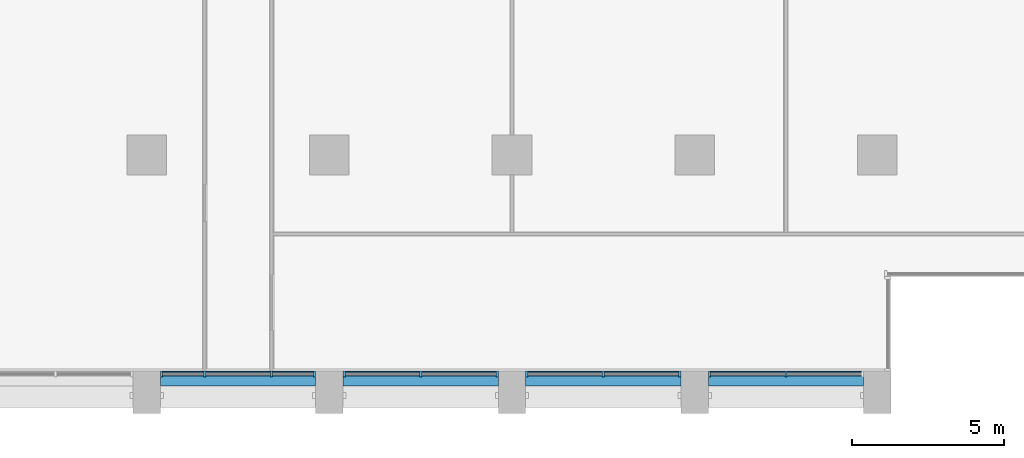
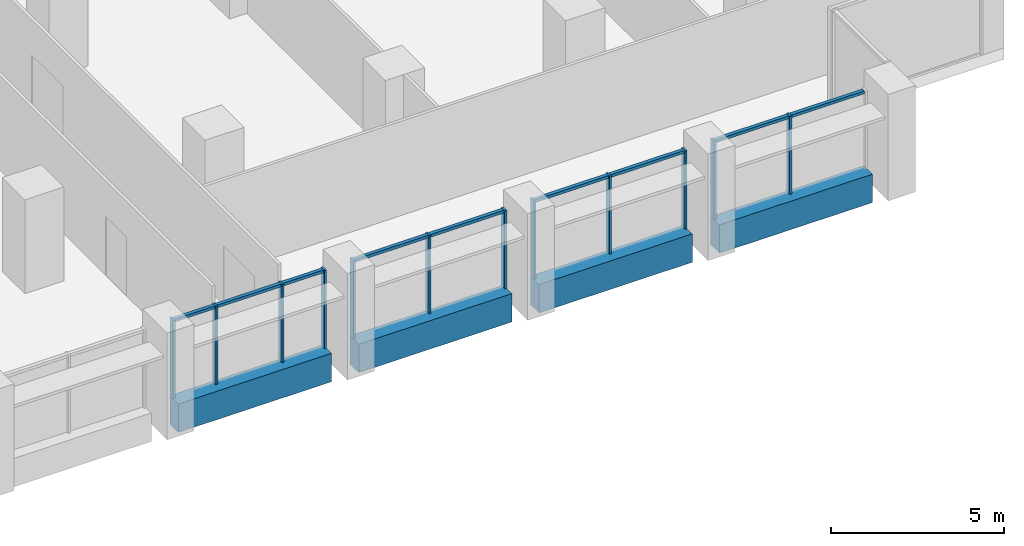
# One storey, part 3 of 15: 21 members, 4 beams, 4 elements without a shape of their own.
"""IFC4 building model written with IfcOpenShell, lengths in metres."""

from ifc_helpers import new_model, si_unit, direction, frame, origin, origin_2d, place, context, subcontext, project, spatial, rectangle, extrude, material, material_profile, profile_set, type_object, element, aggregate, save


model = new_model("IFC4")

# Units and contexts
model_context = context("Model", 3, precision=1e-05, world=origin(), true_north=direction((0.0, 1.0)))
body_context = subcontext(model_context, "Body", "Model", "MODEL_VIEW")
ifc_project = project(units=[si_unit("LENGTHUNIT", "METRE"), si_unit("AREAUNIT", "SQUARE_METRE"), si_unit("VOLUMEUNIT", "CUBIC_METRE"), si_unit("PLANEANGLEUNIT", "RADIAN"), si_unit("MASSUNIT", "GRAM", prefix="KILO")], contexts=[model_context])

# Site, building, storey
site_placement = place(None, origin())
site = spatial("IfcSite", under=ifc_project, at=site_placement, CompositionType="ELEMENT")
building_placement = place(site_placement, origin())
building = spatial("IfcBuilding", under=site, at=building_placement, Name="Calvaro Tower", CompositionType="ELEMENT")
storey_placement = place(building_placement, frame((0.0, 0.0, 132.5)))
storey = spatial("IfcBuildingStorey", under=building, at=storey_placement, Name="L33", CompositionType="ELEMENT", Elevation=132.5)

# Curtain wall, members
ifc_material_1 = material(Name="Anodised aluminium", Category="aluminium")
curtain_wall_type = type_object("IfcCurtainWallType", Name="Office curtain wall, middle zone", PredefinedType="NOTDEFINED", material=ifc_material_1)
curtain_wall_1_placement = place(storey_placement, origin())
curtain_wall_1 = element("IfcCurtainWall", 1, at=curtain_wall_1_placement, inside=storey, type_object=curtain_wall_type, Name="CW2 south curtain wall", PredefinedType="NOTDEFINED")
ifc_material_2 = material(Name="Anodised aluminium", Category="aluminium")
ifc_material_profile_1 = material_profile(ifc_material_2, rectangle(XDim=0.199951171875, YDim=0.070068359375, at=origin_2d()), Name="Mullion S2 70 x 200")
ifc_profile_set_1 = profile_set([ifc_material_profile_1], Name="Anodised aluminium")
member_type_1 = type_object("IfcMemberType", Name="Mullion S2 70 x 200", PredefinedType="MULLION", material=ifc_profile_set_1)
member_1_placement = place(storey_placement, frame((42.485107421875, 2.800048828125, 0.0), z_axis=(0.0, 0.0, 1.0), x_axis=(0.0, 1.0, 0.0)))
member_1 = element("IfcMember", 2, at=member_1_placement, type_object=member_type_1, Name="CW2 mullion 1", PredefinedType="MULLION", context=body_context, shape_type="SweptSolid", body=[
    extrude(rectangle(XDim=0.199951171875, YDim=0.070068359375, at=origin_2d()), origin(), (0.0, 0.0, 1.0), 2.75),
])
member_2_placement = place(storey_placement, frame((43.89990234375, 2.800048828125, 0.0), z_axis=(0.0, 0.0, 1.0), x_axis=(0.0, 1.0, 0.0)))
member_2 = element("IfcMember", 3, at=member_2_placement, type_object=member_type_1, Name="CW2 mullion 2", PredefinedType="MULLION", context=body_context, shape_type="SweptSolid", body=[
    extrude(rectangle(XDim=0.199951171875, YDim=0.070068359375, at=origin_2d()), origin(), (0.0, 0.0, 1.0), 2.75),
])
member_3_placement = place(storey_placement, frame((46.10009765625, 2.800048828125, 0.0), z_axis=(0.0, 0.0, 1.0), x_axis=(0.0, 1.0, 0.0)))
member_3 = element("IfcMember", 4, at=member_3_placement, type_object=member_type_1, Name="CW2 mullion 3", PredefinedType="MULLION", context=body_context, shape_type="SweptSolid", body=[
    extrude(rectangle(XDim=0.199951171875, YDim=0.070068359375, at=origin_2d()), origin(), (0.0, 0.0, 1.0), 2.75),
])
member_4_placement = place(storey_placement, frame((47.514892578125, 2.800048828125, 0.0), z_axis=(0.0, 0.0, 1.0), x_axis=(0.0, 1.0, 0.0)))
member_4 = element("IfcMember", 5, at=member_4_placement, type_object=member_type_1, Name="CW2 mullion 4", PredefinedType="MULLION", context=body_context, shape_type="SweptSolid", body=[
    extrude(rectangle(XDim=0.199951171875, YDim=0.070068359375, at=origin_2d()), origin(), (0.0, 0.0, 1.0), 2.75),
])

curtain_wall_2_placement = place(storey_placement, origin())
curtain_wall_2 = element("IfcCurtainWall", 6, at=curtain_wall_2_placement, inside=storey, type_object=curtain_wall_type, Name="CW2 south curtain wall", PredefinedType="NOTDEFINED")
member_5_placement = place(storey_placement, frame((48.485107421875, 2.800048828125, 0.0), z_axis=(0.0, 0.0, 1.0), x_axis=(0.0, 1.0, 0.0)))
member_5 = element("IfcMember", 7, at=member_5_placement, type_object=member_type_1, Name="CW2 mullion 1", PredefinedType="MULLION", context=body_context, shape_type="SweptSolid", body=[
    extrude(rectangle(XDim=0.199951171875, YDim=0.070068359375, at=origin_2d()), origin(), (0.0, 0.0, 1.0), 2.75),
])
member_6_placement = place(storey_placement, frame((51.0, 2.800048828125, 0.0), z_axis=(0.0, 0.0, 1.0), x_axis=(0.0, 1.0, 0.0)))
member_6 = element("IfcMember", 8, at=member_6_placement, type_object=member_type_1, Name="CW2 mullion 2", PredefinedType="MULLION", context=body_context, shape_type="SweptSolid", body=[
    extrude(rectangle(XDim=0.199951171875, YDim=0.070068359375, at=origin_2d()), origin(), (0.0, 0.0, 1.0), 2.75),
])
member_7_placement = place(storey_placement, frame((53.514892578125, 2.800048828125, 0.0), z_axis=(0.0, 0.0, 1.0), x_axis=(0.0, 1.0, 0.0)))
member_7 = element("IfcMember", 9, at=member_7_placement, type_object=member_type_1, Name="CW2 mullion 3", PredefinedType="MULLION", context=body_context, shape_type="SweptSolid", body=[
    extrude(rectangle(XDim=0.199951171875, YDim=0.070068359375, at=origin_2d()), origin(), (0.0, 0.0, 1.0), 2.75),
])

curtain_wall_3_placement = place(storey_placement, origin())
curtain_wall_3 = element("IfcCurtainWall", 10, at=curtain_wall_3_placement, inside=storey, type_object=curtain_wall_type, Name="CW2 south curtain wall", PredefinedType="NOTDEFINED")
member_8_placement = place(storey_placement, frame((54.485107421875, 2.800048828125, 0.0), z_axis=(0.0, 0.0, 1.0), x_axis=(0.0, 1.0, 0.0)))
member_8 = element("IfcMember", 11, at=member_8_placement, type_object=member_type_1, Name="CW2 mullion 1", PredefinedType="MULLION", context=body_context, shape_type="SweptSolid", body=[
    extrude(rectangle(XDim=0.199951171875, YDim=0.070068359375, at=origin_2d()), origin(), (0.0, 0.0, 1.0), 2.75),
])
member_9_placement = place(storey_placement, frame((57.0, 2.800048828125, 0.0), z_axis=(0.0, 0.0, 1.0), x_axis=(0.0, 1.0, 0.0)))
member_9 = element("IfcMember", 12, at=member_9_placement, type_object=member_type_1, Name="CW2 mullion 2", PredefinedType="MULLION", context=body_context, shape_type="SweptSolid", body=[
    extrude(rectangle(XDim=0.199951171875, YDim=0.070068359375, at=origin_2d()), origin(), (0.0, 0.0, 1.0), 2.75),
])
member_10_placement = place(storey_placement, frame((59.514892578125, 2.800048828125, 0.0), z_axis=(0.0, 0.0, 1.0), x_axis=(0.0, 1.0, 0.0)))
member_10 = element("IfcMember", 13, at=member_10_placement, type_object=member_type_1, Name="CW2 mullion 3", PredefinedType="MULLION", context=body_context, shape_type="SweptSolid", body=[
    extrude(rectangle(XDim=0.199951171875, YDim=0.070068359375, at=origin_2d()), origin(), (0.0, 0.0, 1.0), 2.75),
])

curtain_wall_4_placement = place(storey_placement, origin())
curtain_wall_4 = element("IfcCurtainWall", 14, at=curtain_wall_4_placement, inside=storey, type_object=curtain_wall_type, Name="CW2 south curtain wall", PredefinedType="NOTDEFINED")
member_11_placement = place(storey_placement, frame((60.485107421875, 2.800048828125, 0.0), z_axis=(0.0, 0.0, 1.0), x_axis=(0.0, 1.0, 0.0)))
member_11 = element("IfcMember", 15, at=member_11_placement, type_object=member_type_1, Name="CW2 mullion 1", PredefinedType="MULLION", context=body_context, shape_type="SweptSolid", body=[
    extrude(rectangle(XDim=0.199951171875, YDim=0.070068359375, at=origin_2d()), origin(), (0.0, 0.0, 1.0), 2.75),
])
member_12_placement = place(storey_placement, frame((63.0, 2.800048828125, 0.0), z_axis=(0.0, 0.0, 1.0), x_axis=(0.0, 1.0, 0.0)))
member_12 = element("IfcMember", 16, at=member_12_placement, type_object=member_type_1, Name="CW2 mullion 2", PredefinedType="MULLION", context=body_context, shape_type="SweptSolid", body=[
    extrude(rectangle(XDim=0.199951171875, YDim=0.070068359375, at=origin_2d()), origin(), (0.0, 0.0, 1.0), 2.75),
])

# Beams
ifc_material_3 = material(Name="Concrete C50/60 precast", Category="concrete")
ifc_material_profile_2 = material_profile(ifc_material_3, rectangle(XDim=0.5, YDim=1.0, at=origin_2d()), Name="RC 500x1000")
ifc_profile_set_2 = profile_set([ifc_material_profile_2], Name="Concrete C50/60 precast")
beam_type = type_object("IfcBeamType", Name="Spandrel beam 500x1000 C50/60", PredefinedType="SPANDREL", material=ifc_profile_set_2)
for number, where, z_axis, x_axis, name in (
    (17, (42.449951171875, 2.64990234375, -0.5), (1.0, 0.0, 0.0), (0.0, 1.0, 0.0), "Spandrel beam"),
    (18, (48.449951171875, 2.64990234375, -0.5), (1.0, 0.0, 0.0), (0.0, 1.0, 0.0), "Spandrel beam"),
    (19, (54.449951171875, 2.64990234375, -0.5), (1.0, 0.0, 0.0), (0.0, 1.0, 0.0), "Spandrel beam"),
    (20, (60.449951171875, 2.64990234375, -0.5), (1.0, 0.0, 0.0), (0.0, 1.0, 0.0), "Spandrel beam"),
):
    element("IfcBeam", number, at=place(storey_placement, frame(where, z_axis=z_axis, x_axis=x_axis)), inside=storey, type_object=beam_type, Name=name, PredefinedType="SPANDREL", context=body_context, shape_type="SweptSolid", body=[
        extrude(rectangle(XDim=0.5, YDim=1.0, at=origin_2d()), origin(), (0.0, 0.0, 1.0), 5.10009765625),
    ])

# Member
ifc_material_4 = material(Name="Anodised aluminium", Category="aluminium")
ifc_material_profile_3 = material_profile(ifc_material_4, rectangle(XDim=0.1201171875, YDim=0.10009765625, at=origin_2d()), Name="Transom S2 100 x 120")
ifc_profile_set_3 = profile_set([ifc_material_profile_3], Name="Anodised aluminium")
member_type_2 = type_object("IfcMemberType", Name="Transom S2 100 x 120", PredefinedType="USERDEFINED", material=ifc_profile_set_3)
member_13_placement = place(storey_placement, frame((42.52001953125, 2.800048828125, 2.699951171875), z_axis=(1.0, 0.0, 0.0), x_axis=(0.0, 1.0, 0.0)))
member_13 = element("IfcMember", 21, at=member_13_placement, type_object=member_type_2, Name="CW2 transom 1.1", ObjectType="TRANSOM", PredefinedType="USERDEFINED", context=body_context, shape_type="SweptSolid", body=[
    extrude(rectangle(XDim=0.1201171875, YDim=0.10009765625, at=origin_2d()), origin(), (0.0, 0.0, 1.0), 1.344970703125),
])

member_14_placement = place(storey_placement, frame((43.93505859375, 2.800048828125, 2.699951171875), z_axis=(1.0, 0.0, 0.0), x_axis=(0.0, 1.0, 0.0)))
member_14 = element("IfcMember", 22, at=member_14_placement, type_object=member_type_2, Name="CW2 transom 2.1", ObjectType="TRANSOM", PredefinedType="USERDEFINED", context=body_context, shape_type="SweptSolid", body=[
    extrude(rectangle(XDim=0.1201171875, YDim=0.10009765625, at=origin_2d()), origin(), (0.0, 0.0, 1.0), 2.1298828125),
])

member_15_placement = place(storey_placement, frame((46.135009765625, 2.800048828125, 2.699951171875), z_axis=(1.0, 0.0, 0.0), x_axis=(0.0, 1.0, 0.0)))
member_15 = element("IfcMember", 23, at=member_15_placement, type_object=member_type_2, Name="CW2 transom 3.1", ObjectType="TRANSOM", PredefinedType="USERDEFINED", context=body_context, shape_type="SweptSolid", body=[
    extrude(rectangle(XDim=0.1201171875, YDim=0.10009765625, at=origin_2d()), origin(), (0.0, 0.0, 1.0), 1.344970703125),
])

aggregate(curtain_wall_1, [member_1, member_2, member_3, member_4, member_13, member_14, member_15])

member_16_placement = place(storey_placement, frame((48.52001953125, 2.800048828125, 2.699951171875), z_axis=(1.0, 0.0, 0.0), x_axis=(0.0, 1.0, 0.0)))
member_16 = element("IfcMember", 24, at=member_16_placement, type_object=member_type_2, Name="CW2 transom 1.1", ObjectType="TRANSOM", PredefinedType="USERDEFINED", context=body_context, shape_type="SweptSolid", body=[
    extrude(rectangle(XDim=0.1201171875, YDim=0.10009765625, at=origin_2d()), origin(), (0.0, 0.0, 1.0), 2.445068359375),
])

member_17_placement = place(storey_placement, frame((51.034912109375, 2.800048828125, 2.699951171875), z_axis=(1.0, 0.0, 0.0), x_axis=(0.0, 1.0, 0.0)))
member_17 = element("IfcMember", 25, at=member_17_placement, type_object=member_type_2, Name="CW2 transom 2.1", ObjectType="TRANSOM", PredefinedType="USERDEFINED", context=body_context, shape_type="SweptSolid", body=[
    extrude(rectangle(XDim=0.1201171875, YDim=0.10009765625, at=origin_2d()), origin(), (0.0, 0.0, 1.0), 2.445068359375),
])

aggregate(curtain_wall_2, [member_5, member_6, member_7, member_16, member_17])

member_18_placement = place(storey_placement, frame((54.52001953125, 2.800048828125, 2.699951171875), z_axis=(1.0, 0.0, 0.0), x_axis=(0.0, 1.0, 0.0)))
member_18 = element("IfcMember", 26, at=member_18_placement, type_object=member_type_2, Name="CW2 transom 1.1", ObjectType="TRANSOM", PredefinedType="USERDEFINED", context=body_context, shape_type="SweptSolid", body=[
    extrude(rectangle(XDim=0.1201171875, YDim=0.10009765625, at=origin_2d()), origin(), (0.0, 0.0, 1.0), 2.445068359375),
])

member_19_placement = place(storey_placement, frame((57.034912109375, 2.800048828125, 2.699951171875), z_axis=(1.0, 0.0, 0.0), x_axis=(0.0, 1.0, 0.0)))
member_19 = element("IfcMember", 27, at=member_19_placement, type_object=member_type_2, Name="CW2 transom 2.1", ObjectType="TRANSOM", PredefinedType="USERDEFINED", context=body_context, shape_type="SweptSolid", body=[
    extrude(rectangle(XDim=0.1201171875, YDim=0.10009765625, at=origin_2d()), origin(), (0.0, 0.0, 1.0), 2.445068359375),
])

aggregate(curtain_wall_3, [member_8, member_9, member_10, member_18, member_19])

member_20_placement = place(storey_placement, frame((60.52001953125, 2.800048828125, 2.699951171875), z_axis=(1.0, 0.0, 0.0), x_axis=(0.0, 1.0, 0.0)))
member_20 = element("IfcMember", 28, at=member_20_placement, type_object=member_type_2, Name="CW2 transom 1.1", ObjectType="TRANSOM", PredefinedType="USERDEFINED", context=body_context, shape_type="SweptSolid", body=[
    extrude(rectangle(XDim=0.1201171875, YDim=0.10009765625, at=origin_2d()), origin(), (0.0, 0.0, 1.0), 2.445068359375),
])

member_21_placement = place(storey_placement, frame((63.034912109375, 2.800048828125, 2.699951171875), z_axis=(1.0, 0.0, 0.0), x_axis=(0.0, 1.0, 0.0)))
member_21 = element("IfcMember", 29, at=member_21_placement, type_object=member_type_2, Name="CW2 transom 2.1", ObjectType="TRANSOM", PredefinedType="USERDEFINED", context=body_context, shape_type="SweptSolid", body=[
    extrude(rectangle(XDim=0.1201171875, YDim=0.10009765625, at=origin_2d()), origin(), (0.0, 0.0, 1.0), 2.445068359375),
])

aggregate(curtain_wall_4, [member_11, member_12, member_20, member_21])

save(model, "model.ifc")
